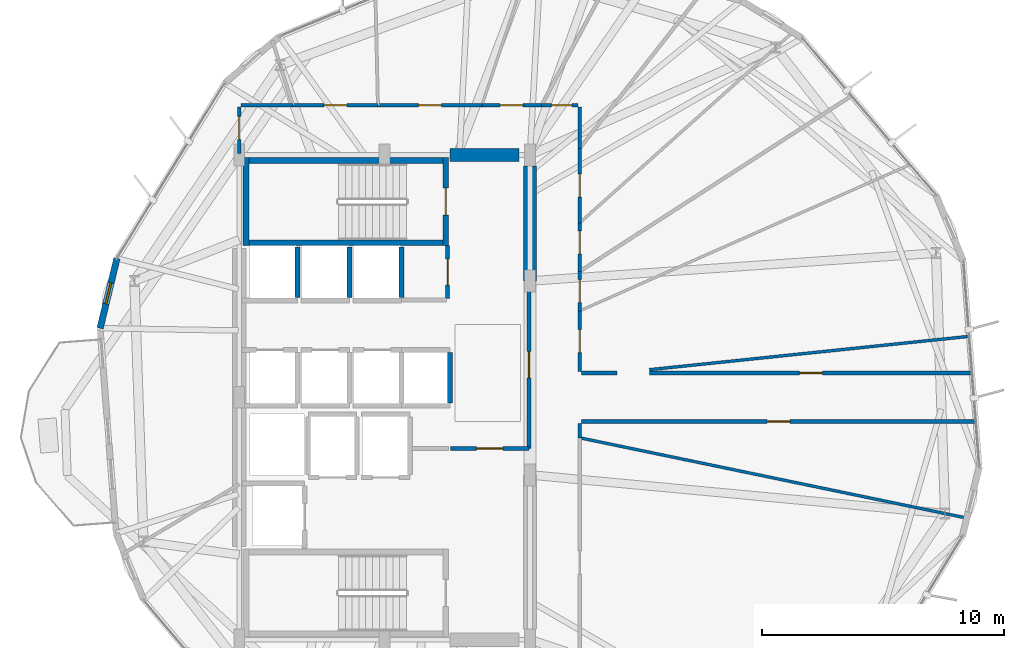
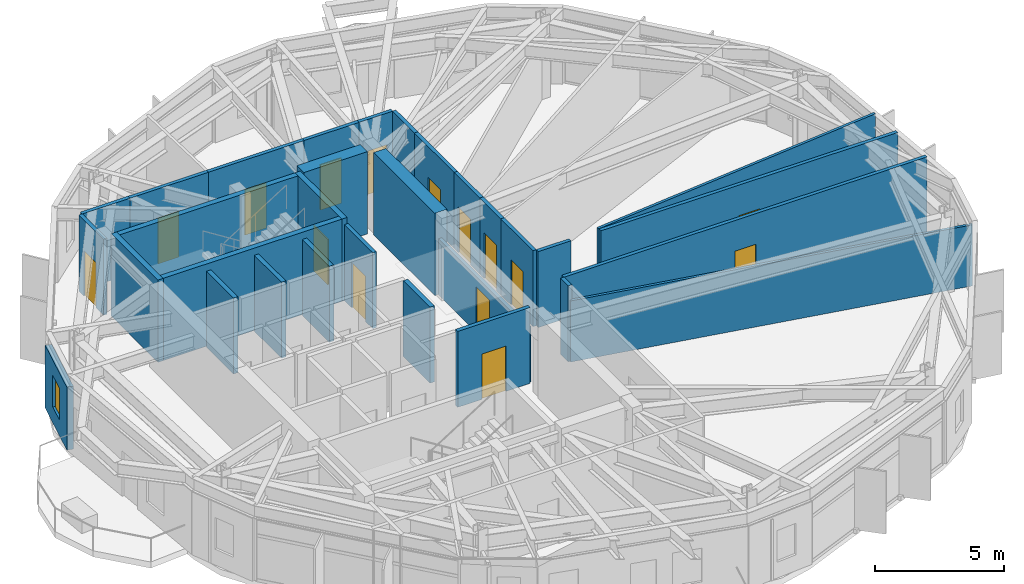
# One storey, part 17 of 21: 31 walls, 15 doors, 1 window, 16 openings.
"""IFC4 building model written with IfcOpenShell, lengths in metres."""

import ifcopenshell
import ifcopenshell.guid

model = None  # the IFC model being written
_history = None  # IfcOwnerHistory: only IFC2X3 demands one
_inside = {}  # id of a spatial element -> (the spatial element, [elements in it])
_under = {}  # id of a project, library or spatial element -> (it, [spatial elements below it])
_declared = {}  # id of a project -> (the project, [libraries it declares])
_typed = {}  # id of a type object -> (the type object, [elements of that type])
_made_of = {}  # id of a material, layer set ... -> (it, [elements and type objects made of it])


def new_model(schema):
    """Start an empty IFC model of exactly this schema.

    Asked for "IFC4X3", IfcOpenShell would pick the latest addendum, in which some entities
    have other attributes; the version numbers below select the first issue.
    IFC2X3 requires an IfcOwnerHistory on every rooted entity: one is made here for all.
    """
    global model, _history
    if schema == "IFC4X3":
        model = ifcopenshell.file(schema_version=(4, 3, 0, 0))
    else:
        model = ifcopenshell.file(schema=schema)
    _inside.clear()
    _under.clear()
    _declared.clear()
    _typed.clear()
    _made_of.clear()
    _history = None
    if model.schema == "IFC2X3":
        org = make("IfcOrganization", Name="unknown")
        user = make(
            "IfcPersonAndOrganization",
            ThePerson=make("IfcPerson", FamilyName="unknown"),
            TheOrganization=org,
        )
        app = make(
            "IfcApplication",
            ApplicationDeveloper=org,
            Version="unknown",
            ApplicationFullName="unknown",
            ApplicationIdentifier="unknown",
        )
        _history = make(
            "IfcOwnerHistory",
            OwningUser=user,
            OwningApplication=app,
            ChangeAction="ADDED",
            CreationDate=0,
        )
    return model


def make(cls, **values):
    """One entity of the class cls with the attributes given. An attribute that is None is left unset."""
    return model.create_entity(
        cls, **{name: value for name, value in values.items() if value is not None}
    )


def rooted(cls, **values):
    """An entity with a GlobalId (a new one), such as an element, a storey or a relation."""
    return make(cls, GlobalId=ifcopenshell.guid.new(), OwnerHistory=_history, **values)


def si_unit(unit_type, name, prefix=None):
    """IfcSIUnit, for example si_unit("LENGTHUNIT", "METRE", prefix="MILLI")."""
    return make("IfcSIUnit", UnitType=unit_type, Prefix=prefix, Name=name)


def assignment(units):
    """IfcUnitAssignment: the units of a project."""
    return None if units is None else make("IfcUnitAssignment", Units=units)


def point(xyz):
    """IfcCartesianPoint."""
    return None if xyz is None else make("IfcCartesianPoint", Coordinates=xyz)


def direction(xyz):
    """IfcDirection."""
    return None if xyz is None else make("IfcDirection", DirectionRatios=xyz)


def frame(location, z_axis=None, x_axis=None):
    """IfcAxis2Placement3D, a coordinate frame: its origin and axes. An axis left out is left unset."""
    return make(
        "IfcAxis2Placement3D",
        Location=point(location),
        Axis=direction(z_axis),
        RefDirection=direction(x_axis),
    )


def frame_2d(location, x_axis=None):
    """IfcAxis2Placement2D, a coordinate frame in the plane: its origin and x axis."""
    return make(
        "IfcAxis2Placement2D", Location=point(location), RefDirection=direction(x_axis)
    )


def origin():
    """The frame at (0, 0, 0) with its axes left unset."""
    return frame((0.0, 0.0, 0.0))


def place(relative_to, where):
    """IfcLocalPlacement: puts the frame where relative to a parent placement (None: the world)."""
    return make(
        "IfcLocalPlacement", PlacementRelTo=relative_to, RelativePlacement=where
    )


def context(
    kind, dimensions, precision=None, world=None, true_north=None, identifier=None
):
    """IfcGeometricRepresentationContext, for example the 3D "Model" context."""
    return make(
        "IfcGeometricRepresentationContext",
        ContextIdentifier=identifier,
        ContextType=kind,
        CoordinateSpaceDimension=dimensions,
        Precision=precision,
        WorldCoordinateSystem=world,
        TrueNorth=true_north,
    )


def subcontext(parent, identifier, kind, view, scale=None):
    """IfcGeometricRepresentationSubContext, for example "Body" below "Model"."""
    return make(
        "IfcGeometricRepresentationSubContext",
        ContextIdentifier=identifier,
        ContextType=kind,
        ParentContext=parent,
        TargetScale=scale,
        TargetView=view,
    )


def project(units=None, contexts=None):
    """IfcProject with its units and contexts."""
    return rooted(
        "IfcProject",
        Name="project",
        RepresentationContexts=contexts,
        UnitsInContext=assignment(units),
    )


def spatial(cls, under=None, at=None, **own):
    """A site, building, storey or space (cls), placed at a placement, below another one or the project."""
    s = rooted(cls, ObjectPlacement=at, **own)
    if under is not None:
        _under.setdefault(under.id(), (under, []))[1].append(s)
    return s


def profile(cls, at=None, kind="AREA", **sizes):
    """A parametric profile (cls). Its sizes go by their IFC names, for example OverallWidth=200.0."""
    return make(cls, ProfileType=kind, Position=at, **sizes)


def rectangle(**sizes):
    """IfcRectangleProfileDef."""
    return profile("IfcRectangleProfileDef", **sizes)


def extrude(swept, where, along, depth):
    """IfcExtrudedAreaSolid: the profile swept, set in the frame where, extruded along a direction by depth."""
    return make(
        "IfcExtrudedAreaSolid",
        SweptArea=swept,
        Position=where,
        ExtrudedDirection=direction(along),
        Depth=depth,
    )


def shape(context_of_items, identifier, shape_type, items):
    """IfcShapeRepresentation: the items that make up one representation, for example the "Body"."""
    return make(
        "IfcShapeRepresentation",
        ContextOfItems=context_of_items,
        RepresentationIdentifier=identifier,
        RepresentationType=shape_type,
        Items=items,
    )


def material(Name=None, Category=None):
    """IfcMaterial."""
    return make("IfcMaterial", Name=Name, Category=Category)


def layer(
    of_material, thickness, ventilated=None, Name=None, Category=None, Priority=None
):
    """IfcMaterialLayer: one layer of a wall or slab, of a material (None: an air gap)."""
    return make(
        "IfcMaterialLayer",
        Material=of_material,
        LayerThickness=thickness,
        IsVentilated=ventilated,
        Name=Name,
        Category=Category,
        Priority=Priority,
    )


def layer_set(layers, Name=None):
    """IfcMaterialLayerSet."""
    return make("IfcMaterialLayerSet", MaterialLayers=layers, LayerSetName=Name)


def made_of(thing, what):
    """Note that an element or type object is made of a material, layer set ...; save() writes the relation."""
    if what is not None:
        _made_of.setdefault(what.id(), (what, []))[1].append(thing)
    return thing


def type_object(cls, material=None, **own):
    """A type object (cls), such as IfcWallType, which elements share."""
    return made_of(rooted(cls, **own), material)


def element(
    cls,
    number,
    at=None,
    inside=None,
    cuts=None,
    type_object=None,
    material=None,
    context=None,
    identifier="Body",
    shape_type=None,
    held_by="IfcProductDefinitionShape",
    body=None,
    shapes=None,
    **own,
):
    """One element of the class cls, such as IfcWall. Its Tag is "e" and its number.

    at: its placement. inside: the storey or other place that contains it. cuts: it is an
    opening in that element (IfcRelVoidsElement). A single representation is given by context,
    identifier, shape_type and body (its items); several are given by shapes. held_by: the class
    of the entity that holds the representations. save() writes the other relations.
    """
    e = rooted(cls, Tag="e%d" % number, ObjectPlacement=at, **own)
    if body is not None:
        shapes = [shape(context, identifier, shape_type, body)]
    if shapes is not None:
        e.Representation = make(held_by, Representations=shapes)
    if inside is not None:
        _inside.setdefault(inside.id(), (inside, []))[1].append(e)
    if cuts is not None:
        rooted(
            "IfcRelVoidsElement", RelatingBuildingElement=cuts, RelatedOpeningElement=e
        )
    if type_object is not None:
        _typed.setdefault(type_object.id(), (type_object, []))[1].append(e)
    return made_of(e, material)


def fill(opening, filler):
    """IfcRelFillsElement: the door or window that sits in an opening."""
    return rooted(
        "IfcRelFillsElement",
        RelatingOpeningElement=opening,
        RelatedBuildingElement=filler,
    )


def aggregate(whole, parts):
    """IfcRelAggregates: a whole, such as a stair, and the parts it consists of."""
    return rooted("IfcRelAggregates", RelatingObject=whole, RelatedObjects=parts)


def save(model, path):
    """Write the relations noted so far, then the file.

    IfcRelAggregates (storeys below a building ...), IfcRelContainedInSpatialStructure (elements
    in a storey), IfcRelDefinesByType, IfcRelAssociatesMaterial and IfcRelDeclares: one each for
    every whole, place, type object, material and project.
    """
    for whole, parts in _under.values():
        aggregate(whole, parts)
    for where, things in _inside.values():
        rooted(
            "IfcRelContainedInSpatialStructure",
            RelatedElements=things,
            RelatingStructure=where,
        )
    for kind, things in _typed.values():
        rooted("IfcRelDefinesByType", RelatedObjects=things, RelatingType=kind)
    for what, things in _made_of.values():
        rooted("IfcRelAssociatesMaterial", RelatedObjects=things, RelatingMaterial=what)
    for by, libraries in _declared.values():
        rooted("IfcRelDeclares", RelatingContext=by, RelatedDefinitions=libraries)
    model.write(path)


model = new_model("IFC4")

# Units and contexts
model_context = context("Model", 3, precision=1e-05, world=origin(), true_north=direction((0.0, 1.0)))
body_context = subcontext(model_context, "Body", "Model", "MODEL_VIEW")
ifc_project = project(units=[si_unit("LENGTHUNIT", "METRE"), si_unit("AREAUNIT", "SQUARE_METRE"), si_unit("VOLUMEUNIT", "CUBIC_METRE"), si_unit("PLANEANGLEUNIT", "RADIAN"), si_unit("MASSUNIT", "GRAM", prefix="KILO")], contexts=[model_context])

# Site, building, storey
site_placement = place(None, origin())
site = spatial("IfcSite", under=ifc_project, at=site_placement, CompositionType="ELEMENT")
building_placement = place(site_placement, origin())
building = spatial("IfcBuilding", under=site, at=building_placement, Name="Soratama Intermodal Tower", CompositionType="ELEMENT")
storey_placement = place(building_placement, frame((0.0, 0.0, 114.699951171875)))
storey = spatial("IfcBuildingStorey", under=building, at=storey_placement, Name="L27", CompositionType="ELEMENT", Elevation=114.699951171875)

# Wall, opening, window
ifc_material_1 = material(Name="Concrete f'c 42 MPa", Category="concrete")
ifc_layer_1 = layer(ifc_material_1, 0.27001953125)
ifc_layer_set_1 = layer_set([ifc_layer_1], Name="Concrete f'c 42 MPa")
wall_type_1 = type_object("IfcWallType", Name="EW-CRN-270", PredefinedType="SOLIDWALL", material=ifc_layer_set_1)
wall_1_placement = place(storey_placement, frame((27.554443359375, 30.7333984375, 0.0), z_axis=(0.0, 0.0, 1.0), x_axis=(-0.234471584184, -0.97212297381, 0.0)))
wall_1 = element("IfcWall", 1, at=wall_1_placement, inside=storey, type_object=wall_type_1, Name="L27 Corner Closure Wall 04", PredefinedType="SOLIDWALL", context=body_context, shape_type="SweptSolid", body=[
    extrude(rectangle(XDim=2.966552734375, YDim=0.27001953125, at=frame_2d((1.4833984375, 0.0))), origin(), (0.0, 0.0, 1.0), 2.97900390625),
])
opening_1_placement = place(wall_1_placement, frame((1.033203125, 0.0, 0.75)))
opening_1 = element("IfcOpeningElement", 2, at=opening_1_placement, cuts=wall_1, Name="Opening WN-6", PredefinedType="OPENING", context=body_context, shape_type="SweptSolid", body=[
    extrude(rectangle(XDim=0.89990234375, YDim=1.5, at=frame_2d((0.449951171875, 0.75))), frame((0.0, 0.14501953125, 0.0), z_axis=(0.0, -1.0, 0.0), x_axis=(1.0, 0.0, 0.0)), (0.0, 0.0, 1.0), 0.2900390625),
])
ifc_material_2 = material(Name="Double-glazed aluminium window", Category="aluminium")
window_type = type_object("IfcWindowType", Name="WN-FAC-900", PartitioningType="SINGLE_PANEL", PredefinedType="WINDOW", material=ifc_material_2)
window_placement = place(opening_1_placement, origin())
window = element("IfcWindow", 3, at=window_placement, inside=storey, type_object=window_type, Name="L27 Corner Window 04", OverallHeight=1.5, OverallWidth=0.89990234375, PartitioningType="SINGLE_PANEL", PredefinedType="WINDOW", context=body_context, shape_type="SweptSolid", body=[
    extrude(rectangle(XDim=0.89990234375, YDim=1.5, at=frame_2d((0.449951171875, 0.75))), frame((0.0, 0.030029296875, 0.0), z_axis=(0.0, -1.0, 0.0), x_axis=(1.0, 0.0, 0.0)), (0.0, 0.0, 1.0), 0.06005859375),
])
fill(opening_1, window)

# Wall, opening, door
ifc_material_3 = material(Name="Fire-rated gypsum stud partition", Category="concrete")
ifc_layer_2 = layer(ifc_material_3, 0.159912109375)
ifc_layer_set_2 = layer_set([ifc_layer_2], Name="Fire-rated gypsum stud partition")
wall_type_2 = type_object("IfcWallType", Name="IW-PART-R160", PredefinedType="PARTITIONING", material=ifc_layer_set_2)
wall_2_placement = place(storey_placement, frame((62.9970703125, 24.0, 0.0), z_axis=(0.0, 0.0, 1.0), x_axis=(-1.0, 0.0, 0.0)))
wall_2 = element("IfcWall", 4, at=wall_2_placement, inside=storey, type_object=wall_type_2, Name="L27 Partition W-L27-TP002", PredefinedType="PARTITIONING", context=body_context, shape_type="SweptSolid", body=[
    extrude(rectangle(XDim=16.277099609375, YDim=0.159912109375, at=frame_2d((8.138671875, 0.0))), origin(), (0.0, 0.0, 1.0), 3.60009765625),
])
opening_2_placement = place(wall_2_placement, frame((7.6640625, 0.0, 0.0)))
opening_2 = element("IfcOpeningElement", 5, at=opening_2_placement, cuts=wall_2, Name="Opening ID-3", PredefinedType="OPENING", context=body_context, shape_type="SweptSolid", body=[
    extrude(rectangle(XDim=0.949951171875, YDim=2.14990234375, at=frame_2d((0.47509765625, 1.074951171875))), frame((0.0, 0.08984375, 0.0), z_axis=(0.0, -1.0, 0.0), x_axis=(1.0, 0.0, 0.0)), (0.0, 0.0, 1.0), 0.179931640625),
])
ifc_material_4 = material(Name="Solid hardwood acoustic door", Category="wood")
door_type_1 = type_object("IfcDoorType", Name="DR-ROOM-950", OperationType="NOTDEFINED", PredefinedType="DOOR", material=ifc_material_4)
door_1_placement = place(opening_2_placement, origin())
door_1 = element("IfcDoor", 6, at=door_1_placement, inside=storey, type_object=door_type_1, Name="L27 Door D-L27-TP001", OperationType="SINGLE_SWING_RIGHT", OverallHeight=2.14990234375, OverallWidth=0.949951171875, PredefinedType="DOOR", context=body_context, shape_type="SweptSolid", body=[
    extrude(rectangle(XDim=0.949951171875, YDim=2.14990234375, at=frame_2d((0.47509765625, 1.074951171875))), frame((0.0, 0.02490234375, 0.0), z_axis=(0.0, -1.0, 0.0), x_axis=(1.0, 0.0, 0.0)), (0.0, 0.0, 1.0), 0.050048828125),
])
fill(opening_2, door_1)

wall_3_placement = place(storey_placement, frame((49.531982421875, 26.0, 0.0), z_axis=(0.0, 0.0, 1.0), x_axis=(1.0, 0.0, 0.0)))
wall_3 = element("IfcWall", 7, at=wall_3_placement, inside=storey, type_object=wall_type_2, Name="L27 Partition W-L27-TP005", PredefinedType="PARTITIONING", context=body_context, shape_type="SweptSolid", body=[
    extrude(rectangle(XDim=13.31005859375, YDim=0.159912109375, at=frame_2d((6.655029296875, 0.0))), origin(), (0.0, 0.0, 1.0), 3.60009765625),
])
opening_3_placement = place(wall_3_placement, frame((6.179931640625, 0.0, 0.0)))
opening_3 = element("IfcOpeningElement", 8, at=opening_3_placement, cuts=wall_3, Name="Opening ID-3", PredefinedType="OPENING", context=body_context, shape_type="SweptSolid", body=[
    extrude(rectangle(XDim=0.949951171875, YDim=2.14990234375, at=frame_2d((0.47509765625, 1.074951171875))), frame((0.0, 0.08984375, 0.0), z_axis=(0.0, -1.0, 0.0), x_axis=(1.0, 0.0, 0.0)), (0.0, 0.0, 1.0), 0.179931640625),
])
door_2_placement = place(opening_3_placement, origin())
door_2 = element("IfcDoor", 9, at=door_2_placement, inside=storey, type_object=door_type_1, Name="L27 Door D-L27-TP002", OperationType="SINGLE_SWING_LEFT", OverallHeight=2.14990234375, OverallWidth=0.949951171875, PredefinedType="DOOR", context=body_context, shape_type="SweptSolid", body=[
    extrude(rectangle(XDim=0.949951171875, YDim=2.14990234375, at=frame_2d((0.47509765625, 1.074951171875))), frame((0.0, 0.02490234375, 0.0), z_axis=(0.0, -1.0, 0.0), x_axis=(1.0, 0.0, 0.0)), (0.0, 0.0, 1.0), 0.050048828125),
])
fill(opening_3, door_2)

wall_4_placement = place(storey_placement, frame((44.56005859375, 29.800048828125, 0.0), z_axis=(0.0, 0.0, 1.0), x_axis=(0.0, -1.0, 0.0)))
wall_4 = element("IfcWall", 10, at=wall_4_placement, inside=storey, type_object=wall_type_2, Name="L27 Partition W-L27-TP011", PredefinedType="PARTITIONING", context=body_context, shape_type="SweptSolid", body=[
    extrude(rectangle(XDim=6.91015625, YDim=0.159912109375, at=frame_2d((3.455078125, 0.0))), origin(), (0.0, 0.0, 1.0), 2.64013671875),
])
opening_4_placement = place(wall_4_placement, frame((2.9150390625, 0.0, 0.0)))
opening_4 = element("IfcOpeningElement", 11, at=opening_4_placement, cuts=wall_4, Name="Opening ID-1", PredefinedType="OPENING", context=body_context, shape_type="SweptSolid", body=[
    extrude(rectangle(XDim=1.080078125, YDim=2.14990234375, at=frame_2d((0.5400390625, 1.074951171875))), frame((0.0, 0.08984375, 0.0), z_axis=(0.0, -1.0, 0.0), x_axis=(1.0, 0.0, 0.0)), (0.0, 0.0, 1.0), 0.179931640625),
])
ifc_material_5 = material(Name="Solid hardwood acoustic door", Category="wood")
door_type_2 = type_object("IfcDoorType", Name="DR-LOB-FD60", OperationType="NOTDEFINED", PredefinedType="DOOR", material=ifc_material_5)
door_3_placement = place(opening_4_placement, origin())
door_3 = element("IfcDoor", 12, at=door_3_placement, inside=storey, type_object=door_type_2, Name="L27 Door D-L27-TP005", OperationType="SINGLE_SWING_RIGHT", OverallHeight=2.14990234375, OverallWidth=1.080078125, PredefinedType="DOOR", context=body_context, shape_type="SweptSolid", body=[
    extrude(rectangle(XDim=1.080078125, YDim=2.14990234375, at=frame_2d((0.5400390625, 1.074951171875))), frame((0.0, 0.02490234375, 0.0), z_axis=(0.0, -1.0, 0.0), x_axis=(1.0, 0.0, 0.0)), (0.0, 0.0, 1.0), 0.050048828125),
])
fill(opening_4, door_3)

wall_5_placement = place(storey_placement, frame((38.323974609375, 37.050048828125, 0.0), z_axis=(0.0, 0.0, 1.0), x_axis=(1.0, 0.0, 0.0)))
wall_5 = element("IfcWall", 13, at=wall_5_placement, inside=storey, type_object=wall_type_2, Name="L27 Partition W-L27-TP017", PredefinedType="PARTITIONING", context=body_context, shape_type="SweptSolid", body=[
    extrude(rectangle(XDim=4.2900390625, YDim=0.159912109375, at=frame_2d((2.14501953125, 0.0))), origin(), (0.0, 0.0, 1.0), 3.60009765625),
])
opening_5_placement = place(wall_5_placement, frame((1.669921875, 0.0, 0.0)))
opening_5 = element("IfcOpeningElement", 14, at=opening_5_placement, cuts=wall_5, Name="Opening ID-3", PredefinedType="OPENING", context=body_context, shape_type="SweptSolid", body=[
    extrude(rectangle(XDim=0.949951171875, YDim=2.14990234375, at=frame_2d((0.47509765625, 1.074951171875))), frame((0.0, 0.08984375, 0.0), z_axis=(0.0, -1.0, 0.0), x_axis=(1.0, 0.0, 0.0)), (0.0, 0.0, 1.0), 0.179931640625),
])
door_4_placement = place(opening_5_placement, origin())
door_4 = element("IfcDoor", 15, at=door_4_placement, inside=storey, type_object=door_type_1, Name="L27 Door D-L27-TP006", OperationType="SINGLE_SWING_LEFT", OverallHeight=2.14990234375, OverallWidth=0.949951171875, PredefinedType="DOOR", context=body_context, shape_type="SweptSolid", body=[
    extrude(rectangle(XDim=0.949951171875, YDim=2.14990234375, at=frame_2d((0.47509765625, 1.074951171875))), frame((0.0, 0.02490234375, 0.0), z_axis=(0.0, -1.0, 0.0), x_axis=(1.0, 0.0, 0.0)), (0.0, 0.0, 1.0), 0.050048828125),
])
fill(opening_5, door_4)

wall_6_placement = place(storey_placement, frame((34.81005859375, 37.050048828125, 0.0), z_axis=(0.0, 0.0, 1.0), x_axis=(1.0, 0.0, 0.0)))
wall_6 = element("IfcWall", 16, at=wall_6_placement, inside=storey, type_object=wall_type_2, Name="L27 Partition W-L27-TP020", PredefinedType="PARTITIONING", context=body_context, shape_type="SweptSolid", body=[
    extrude(rectangle(XDim=3.513916015625, YDim=0.159912109375, at=frame_2d((1.7568359375, 0.0))), origin(), (0.0, 0.0, 1.0), 3.60009765625),
])
opening_6_placement = place(wall_6_placement, frame((1.281982421875, 0.0, 0.0)))
opening_6 = element("IfcOpeningElement", 17, at=opening_6_placement, cuts=wall_6, Name="Opening ID-3", PredefinedType="OPENING", context=body_context, shape_type="SweptSolid", body=[
    extrude(rectangle(XDim=0.949951171875, YDim=2.14990234375, at=frame_2d((0.47509765625, 1.074951171875))), frame((0.0, 0.08984375, 0.0), z_axis=(0.0, -1.0, 0.0), x_axis=(1.0, 0.0, 0.0)), (0.0, 0.0, 1.0), 0.179931640625),
])
door_5_placement = place(opening_6_placement, origin())
door_5 = element("IfcDoor", 18, at=door_5_placement, inside=storey, type_object=door_type_1, Name="L27 Door D-L27-TP008", OperationType="SINGLE_SWING_LEFT", OverallHeight=2.14990234375, OverallWidth=0.949951171875, PredefinedType="DOOR", context=body_context, shape_type="SweptSolid", body=[
    extrude(rectangle(XDim=0.949951171875, YDim=2.14990234375, at=frame_2d((0.47509765625, 1.074951171875))), frame((0.0, 0.02490234375, 0.0), z_axis=(0.0, -1.0, 0.0), x_axis=(1.0, 0.0, 0.0)), (0.0, 0.0, 1.0), 0.050048828125),
])
fill(opening_6, door_5)

wall_7_placement = place(storey_placement, frame((46.64990234375, 35.277099609375, 0.0), z_axis=(0.0, 0.0, 1.0), x_axis=(0.0, -1.0, 0.0)))
wall_7 = element("IfcWall", 19, at=wall_7_placement, inside=storey, type_object=wall_type_2, Name="L27 Partition W-L27-TP023", PredefinedType="PARTITIONING", context=body_context, shape_type="SweptSolid", body=[
    extrude(rectangle(XDim=3.078125, YDim=0.159912109375, at=frame_2d((1.5390625, 0.0))), origin(), (0.0, 0.0, 1.0), 3.60009765625),
])
opening_7_placement = place(wall_7_placement, frame((1.06396484375, 0.0, 0.0)))
opening_7 = element("IfcOpeningElement", 20, at=opening_7_placement, cuts=wall_7, Name="Opening ID-3", PredefinedType="OPENING", context=body_context, shape_type="SweptSolid", body=[
    extrude(rectangle(XDim=0.949951171875, YDim=2.14990234375, at=frame_2d((0.47509765625, 1.074951171875))), frame((0.0, 0.08984375, 0.0), z_axis=(0.0, -1.0, 0.0), x_axis=(1.0, 0.0, 0.0)), (0.0, 0.0, 1.0), 0.179931640625),
])
door_6_placement = place(opening_7_placement, origin())
door_6 = element("IfcDoor", 21, at=door_6_placement, inside=storey, type_object=door_type_1, Name="L27 Door D-L27-TP010", OperationType="SINGLE_SWING_LEFT", OverallHeight=2.14990234375, OverallWidth=0.949951171875, PredefinedType="DOOR", context=body_context, shape_type="SweptSolid", body=[
    extrude(rectangle(XDim=0.949951171875, YDim=2.14990234375, at=frame_2d((0.47509765625, 1.074951171875))), frame((0.0, 0.02490234375, 0.0), z_axis=(0.0, -1.0, 0.0), x_axis=(1.0, 0.0, 0.0)), (0.0, 0.0, 1.0), 0.050048828125),
])
fill(opening_7, door_6)

wall_8_placement = place(storey_placement, frame((46.64990234375, 28.56591796875, 0.0), z_axis=(0.0, 0.0, 1.0), x_axis=(0.0, -1.0, 0.0)))
wall_8 = element("IfcWall", 22, at=wall_8_placement, inside=storey, type_object=wall_type_2, Name="L27 Partition W-L27-TP026", PredefinedType="PARTITIONING", context=body_context, shape_type="SweptSolid", body=[
    extrude(rectangle(XDim=2.495849609375, YDim=0.159912109375, at=frame_2d((1.248046875, 0.0))), origin(), (0.0, 0.0, 1.0), 3.60009765625),
])
opening_8_placement = place(wall_8_placement, frame((0.77294921875, 0.0, 0.0)))
opening_8 = element("IfcOpeningElement", 23, at=opening_8_placement, cuts=wall_8, Name="Opening ID-3", PredefinedType="OPENING", context=body_context, shape_type="SweptSolid", body=[
    extrude(rectangle(XDim=0.949951171875, YDim=2.14990234375, at=frame_2d((0.47509765625, 1.074951171875))), frame((0.0, 0.08984375, 0.0), z_axis=(0.0, -1.0, 0.0), x_axis=(1.0, 0.0, 0.0)), (0.0, 0.0, 1.0), 0.179931640625),
])
door_7_placement = place(opening_8_placement, origin())
door_7 = element("IfcDoor", 24, at=door_7_placement, inside=storey, type_object=door_type_1, Name="L27 Door D-L27-TP011", OperationType="SINGLE_SWING_RIGHT", OverallHeight=2.14990234375, OverallWidth=0.949951171875, PredefinedType="DOOR", context=body_context, shape_type="SweptSolid", body=[
    extrude(rectangle(XDim=0.949951171875, YDim=2.14990234375, at=frame_2d((0.47509765625, 1.074951171875))), frame((0.0, 0.02490234375, 0.0), z_axis=(0.0, -1.0, 0.0), x_axis=(1.0, 0.0, 0.0)), (0.0, 0.0, 1.0), 0.050048828125),
])
fill(opening_8, door_7)

wall_9_placement = place(storey_placement, frame((42.614013671875, 37.050048828125, 0.0), z_axis=(0.0, 0.0, 1.0), x_axis=(1.0, 0.0, 0.0)))
wall_9 = element("IfcWall", 25, at=wall_9_placement, inside=storey, type_object=wall_type_2, Name="L27 Partition W-L27-TP027", PredefinedType="PARTITIONING", context=body_context, shape_type="SweptSolid", body=[
    extrude(rectangle(XDim=2.4599609375, YDim=0.159912109375, at=frame_2d((1.22998046875, 0.0))), origin(), (0.0, 0.0, 1.0), 3.60009765625),
])
opening_9_placement = place(wall_9_placement, frame((0.7548828125, 0.0, 0.0)))
opening_9 = element("IfcOpeningElement", 26, at=opening_9_placement, cuts=wall_9, Name="Opening ID-3", PredefinedType="OPENING", context=body_context, shape_type="SweptSolid", body=[
    extrude(rectangle(XDim=0.949951171875, YDim=2.14990234375, at=frame_2d((0.47509765625, 1.074951171875))), frame((0.0, 0.08984375, 0.0), z_axis=(0.0, -1.0, 0.0), x_axis=(1.0, 0.0, 0.0)), (0.0, 0.0, 1.0), 0.179931640625),
])
door_8_placement = place(opening_9_placement, origin())
door_8 = element("IfcDoor", 27, at=door_8_placement, inside=storey, type_object=door_type_1, Name="L27 Door D-L27-TP012", OperationType="SINGLE_SWING_LEFT", OverallHeight=2.14990234375, OverallWidth=0.949951171875, PredefinedType="DOOR", context=body_context, shape_type="SweptSolid", body=[
    extrude(rectangle(XDim=0.949951171875, YDim=2.14990234375, at=frame_2d((0.47509765625, 1.074951171875))), frame((0.0, 0.02490234375, 0.0), z_axis=(0.0, -1.0, 0.0), x_axis=(1.0, 0.0, 0.0)), (0.0, 0.0, 1.0), 0.050048828125),
])
fill(opening_9, door_8)

wall_10_placement = place(storey_placement, frame((41.199951171875, 29.070068359375, 0.0), z_axis=(0.0, 0.0, 1.0), x_axis=(0.0, 1.0, 0.0)))
wall_10 = element("IfcWall", 28, at=wall_10_placement, inside=storey, type_object=wall_type_2, Name="L27 Partition W-L27-TP028", PredefinedType="PARTITIONING", context=body_context, shape_type="SweptSolid", body=[
    extrude(rectangle(XDim=2.18994140625, YDim=0.159912109375, at=frame_2d((1.094970703125, 0.0))), origin(), (0.0, 0.0, 1.0), 3.60009765625),
])
opening_10_placement = place(wall_10_placement, frame((0.554931640625, 0.0, 0.0)))
opening_10 = element("IfcOpeningElement", 29, at=opening_10_placement, cuts=wall_10, Name="Opening ID-1", PredefinedType="OPENING", context=body_context, shape_type="SweptSolid", body=[
    extrude(rectangle(XDim=1.080078125, YDim=2.14990234375, at=frame_2d((0.5400390625, 1.074951171875))), frame((0.0, 0.08984375, 0.0), z_axis=(0.0, -1.0, 0.0), x_axis=(1.0, 0.0, 0.0)), (0.0, 0.0, 1.0), 0.179931640625),
])
door_9_placement = place(opening_10_placement, origin())
door_9 = element("IfcDoor", 30, at=door_9_placement, inside=storey, type_object=door_type_2, Name="L27 Door D-L27-TP013", OperationType="SINGLE_SWING_RIGHT", OverallHeight=2.14990234375, OverallWidth=1.080078125, PredefinedType="DOOR", context=body_context, shape_type="SweptSolid", body=[
    extrude(rectangle(XDim=1.080078125, YDim=2.14990234375, at=frame_2d((0.5400390625, 1.074951171875))), frame((0.0, 0.02490234375, 0.0), z_axis=(0.0, -1.0, 0.0), x_axis=(1.0, 0.0, 0.0)), (0.0, 0.0, 1.0), 0.050048828125),
])
fill(opening_10, door_9)

# Wall
wall_11_placement = place(storey_placement, frame((32.669921875, 37.050048828125, 0.0), z_axis=(0.0, 0.0, 1.0), x_axis=(1.0, 0.0, 0.0)))
element("IfcWall", 31, at=wall_11_placement, inside=storey, type_object=wall_type_2, Name="L27 Partition W-L27-TP029", PredefinedType="PARTITIONING", context=body_context, shape_type="SweptSolid", body=[
    extrude(rectangle(XDim=2.14013671875, YDim=0.159912109375, at=frame_2d((1.070068359375, 0.0))), origin(), (0.0, 0.0, 1.0), 3.60009765625),
])

# Wall, opening, door
wall_12_placement = place(storey_placement, frame((46.64990234375, 32.198974609375, 0.0), z_axis=(0.0, 0.0, 1.0), x_axis=(0.0, -1.0, 0.0)))
wall_12 = element("IfcWall", 32, at=wall_12_placement, inside=storey, type_object=wall_type_2, Name="L27 Partition W-L27-TP030", PredefinedType="PARTITIONING", context=body_context, shape_type="SweptSolid", body=[
    extrude(rectangle(XDim=2.001953125, YDim=0.159912109375, at=frame_2d((1.0009765625, 0.0))), origin(), (0.0, 0.0, 1.0), 3.60009765625),
])
opening_11_placement = place(wall_12_placement, frame((0.325927734375, 0.0, 0.0)))
opening_11 = element("IfcOpeningElement", 33, at=opening_11_placement, cuts=wall_12, Name="Opening ID-3", PredefinedType="OPENING", context=body_context, shape_type="SweptSolid", body=[
    extrude(rectangle(XDim=0.949951171875, YDim=2.14990234375, at=frame_2d((0.47509765625, 1.074951171875))), frame((0.0, 0.08984375, 0.0), z_axis=(0.0, -1.0, 0.0), x_axis=(1.0, 0.0, 0.0)), (0.0, 0.0, 1.0), 0.179931640625),
])
door_10_placement = place(opening_11_placement, origin())
door_10 = element("IfcDoor", 34, at=door_10_placement, inside=storey, type_object=door_type_1, Name="L27 Door D-L27-TP014", OperationType="SINGLE_SWING_LEFT", OverallHeight=2.14990234375, OverallWidth=0.949951171875, PredefinedType="DOOR", context=body_context, shape_type="SweptSolid", body=[
    extrude(rectangle(XDim=0.949951171875, YDim=2.14990234375, at=frame_2d((0.47509765625, 1.074951171875))), frame((0.0, 0.02490234375, 0.0), z_axis=(0.0, -1.0, 0.0), x_axis=(1.0, 0.0, 0.0)), (0.0, 0.0, 1.0), 0.050048828125),
])
fill(opening_11, door_10)

wall_13_placement = place(storey_placement, frame((32.60009765625, 35.070068359375, 0.0), z_axis=(0.0, 0.0, 1.0), x_axis=(0.0, 1.0, 0.0)))
wall_13 = element("IfcWall", 35, at=wall_13_placement, inside=storey, type_object=wall_type_2, Name="L27 Partition W-L27-TP031", PredefinedType="PARTITIONING", context=body_context, shape_type="SweptSolid", body=[
    extrude(rectangle(XDim=1.909912109375, YDim=0.159912109375, at=frame_2d((0.955078125, 0.0))), origin(), (0.0, 0.0, 1.0), 3.60009765625),
])
opening_12_placement = place(wall_13_placement, frame((0.574951171875, 0.0, 0.0)))
opening_12 = element("IfcOpeningElement", 36, at=opening_12_placement, cuts=wall_13, Name="Opening ID-3", PredefinedType="OPENING", context=body_context, shape_type="SweptSolid", body=[
    extrude(rectangle(XDim=0.949951171875, YDim=2.14990234375, at=frame_2d((0.47509765625, 1.074951171875))), frame((0.0, 0.08984375, 0.0), z_axis=(0.0, -1.0, 0.0), x_axis=(1.0, 0.0, 0.0)), (0.0, 0.0, 1.0), 0.179931640625),
])
door_11_placement = place(opening_12_placement, origin())
door_11 = element("IfcDoor", 37, at=door_11_placement, inside=storey, type_object=door_type_1, Name="L27 Door D-L27-TP015", OperationType="SINGLE_SWING_RIGHT", OverallHeight=2.14990234375, OverallWidth=0.949951171875, PredefinedType="DOOR", context=body_context, shape_type="SweptSolid", body=[
    extrude(rectangle(XDim=0.949951171875, YDim=2.14990234375, at=frame_2d((0.47509765625, 1.074951171875))), frame((0.0, 0.02490234375, 0.0), z_axis=(0.0, -1.0, 0.0), x_axis=(1.0, 0.0, 0.0)), (0.0, 0.0, 1.0), 0.050048828125),
])
fill(opening_12, door_11)

# Wall
wall_14_placement = place(storey_placement, frame((46.64990234375, 36.97998046875, 0.0), z_axis=(0.0, 0.0, 1.0), x_axis=(0.0, -1.0, 0.0)))
element("IfcWall", 38, at=wall_14_placement, inside=storey, type_object=wall_type_2, Name="L27 Partition W-L27-TP033", PredefinedType="PARTITIONING", context=body_context, shape_type="SweptSolid", body=[
    extrude(rectangle(XDim=1.702880859375, YDim=0.159912109375, at=frame_2d((0.8515625, 0.0))), origin(), (0.0, 0.0, 1.0), 3.60009765625),
])

# Wall, opening, door
wall_15_placement = place(storey_placement, frame((46.64990234375, 30.197021484375, 0.0), z_axis=(0.0, 0.0, 1.0), x_axis=(0.0, -1.0, 0.0)))
wall_15 = element("IfcWall", 39, at=wall_15_placement, inside=storey, type_object=wall_type_2, Name="L27 Partition W-L27-TP034", PredefinedType="PARTITIONING", context=body_context, shape_type="SweptSolid", body=[
    extrude(rectangle(XDim=1.631103515625, YDim=0.159912109375, at=frame_2d((0.8154296875, 0.0))), origin(), (0.0, 0.0, 1.0), 3.60009765625),
])
opening_13_placement = place(wall_15_placement, frame((0.341064453125, 0.0, 0.0)))
opening_13 = element("IfcOpeningElement", 40, at=opening_13_placement, cuts=wall_15, Name="Opening ID-3", PredefinedType="OPENING", context=body_context, shape_type="SweptSolid", body=[
    extrude(rectangle(XDim=0.949951171875, YDim=2.14990234375, at=frame_2d((0.47509765625, 1.074951171875))), frame((0.0, 0.08984375, 0.0), z_axis=(0.0, -1.0, 0.0), x_axis=(1.0, 0.0, 0.0)), (0.0, 0.0, 1.0), 0.179931640625),
])
door_12_placement = place(opening_13_placement, origin())
door_12 = element("IfcDoor", 41, at=door_12_placement, inside=storey, type_object=door_type_1, Name="L27 Door D-L27-TP016", OperationType="SINGLE_SWING_LEFT", OverallHeight=2.14990234375, OverallWidth=0.949951171875, PredefinedType="DOOR", context=body_context, shape_type="SweptSolid", body=[
    extrude(rectangle(XDim=0.949951171875, YDim=2.14990234375, at=frame_2d((0.47509765625, 1.074951171875))), frame((0.0, 0.02490234375, 0.0), z_axis=(0.0, -1.0, 0.0), x_axis=(1.0, 0.0, 0.0)), (0.0, 0.0, 1.0), 0.050048828125),
])
fill(opening_13, door_12)

wall_16_placement = place(storey_placement, frame((45.073974609375, 37.050048828125, 0.0), z_axis=(0.0, 0.0, 1.0), x_axis=(1.0, 0.0, 0.0)))
wall_16 = element("IfcWall", 42, at=wall_16_placement, inside=storey, type_object=wall_type_2, Name="L27 Partition W-L27-TP036", PredefinedType="PARTITIONING", context=body_context, shape_type="SweptSolid", body=[
    extrude(rectangle(XDim=1.506103515625, YDim=0.159912109375, at=frame_2d((0.7529296875, 0.0))), origin(), (0.0, 0.0, 1.0), 3.60009765625),
])
opening_14_placement = place(wall_16_placement, frame((0.403076171875, 0.0, 0.0)))
opening_14 = element("IfcOpeningElement", 43, at=opening_14_placement, cuts=wall_16, Name="Opening ID-4", PredefinedType="OPENING", context=body_context, shape_type="SweptSolid", body=[
    extrude(rectangle(XDim=0.85009765625, YDim=2.10009765625, at=frame_2d((0.425048828125, 1.050048828125))), frame((0.0, 0.08984375, 0.0), z_axis=(0.0, -1.0, 0.0), x_axis=(1.0, 0.0, 0.0)), (0.0, 0.0, 1.0), 0.179931640625),
])
ifc_material_6 = material(Name="Solid hardwood acoustic door", Category="wood")
door_type_3 = type_object("IfcDoorType", Name="DR-BATH-850", OperationType="NOTDEFINED", PredefinedType="DOOR", material=ifc_material_6)
door_13_placement = place(opening_14_placement, origin())
door_13 = element("IfcDoor", 44, at=door_13_placement, inside=storey, type_object=door_type_3, Name="L27 Door D-L27-TP017", OperationType="SINGLE_SWING_RIGHT", OverallHeight=2.10009765625, OverallWidth=0.85009765625, PredefinedType="DOOR", context=body_context, shape_type="SweptSolid", body=[
    extrude(rectangle(XDim=0.85009765625, YDim=2.10009765625, at=frame_2d((0.425048828125, 1.050048828125))), frame((0.0, 0.02490234375, 0.0), z_axis=(0.0, -1.0, 0.0), x_axis=(1.0, 0.0, 0.0)), (0.0, 0.0, 1.0), 0.050048828125),
])
fill(opening_14, door_13)

# Walls
wall_17_placement = place(storey_placement, frame((46.64990234375, 23.929931640625, 0.0), z_axis=(0.0, 0.0, 1.0), x_axis=(0.0, -1.0, 0.0)))
element("IfcWall", 45, at=wall_17_placement, inside=storey, type_object=wall_type_2, Name="L27 Partition W-L27-TP037", PredefinedType="PARTITIONING", context=body_context, shape_type="SweptSolid", body=[
    extrude(rectangle(XDim=0.599853515625, YDim=0.159912109375, at=frame_2d((0.2998046875, 0.0))), origin(), (0.0, 0.0, 1.0), 3.60009765625),
])
wall_18_placement = place(storey_placement, frame((46.719970703125, 26.0, 0.0), z_axis=(0.0, 0.0, 1.0), x_axis=(1.0, 0.0, 0.0)))
element("IfcWall", 46, at=wall_18_placement, inside=storey, type_object=wall_type_2, Name="L27 Partition W-L27-TP038", PredefinedType="PARTITIONING", context=body_context, shape_type="SweptSolid", body=[
    extrude(rectangle(XDim=1.463134765625, YDim=0.159912109375, at=frame_2d((0.7314453125, 0.0))), origin(), (0.0, 0.0, 1.0), 3.60009765625),
])

# Wall, opening, door
ifc_material_7 = material(Name="Fire-rated gypsum stud partition", Category="concrete")
ifc_layer_3 = layer(ifc_material_7, 0.169921875)
ifc_layer_set_3 = layer_set([ifc_layer_3], Name="Fire-rated gypsum stud partition")
wall_type_3 = type_object("IfcWallType", Name="IW-PART-R170", PredefinedType="PARTITIONING", material=ifc_layer_set_3)
wall_19_placement = place(storey_placement, frame((41.320068359375, 22.889892578125, 0.0), z_axis=(0.0, 0.0, 1.0), x_axis=(1.0, 0.0, 0.0)))
wall_19 = element("IfcWall", 47, at=wall_19_placement, inside=storey, type_object=wall_type_3, Name="L27 Partition W-L27-TP021", PredefinedType="PARTITIONING", context=body_context, shape_type="SweptSolid", body=[
    extrude(rectangle(XDim=3.239990234375, YDim=0.169921875, at=frame_2d((1.6201171875, 0.0))), origin(), (0.0, 0.0, 1.0), 3.60009765625),
])
opening_15_placement = place(wall_19_placement, frame((1.080078125, 0.0, 0.0)))
opening_15 = element("IfcOpeningElement", 48, at=opening_15_placement, cuts=wall_19, Name="Opening ID-0", PredefinedType="OPENING", context=body_context, shape_type="SweptSolid", body=[
    extrude(rectangle(XDim=1.080078125, YDim=2.14990234375, at=frame_2d((0.5400390625, 1.074951171875))), frame((0.0, 0.094970703125, 0.0), z_axis=(0.0, -1.0, 0.0), x_axis=(1.0, 0.0, 0.0)), (0.0, 0.0, 1.0), 0.18994140625),
])
ifc_material_8 = material(Name="Solid hardwood acoustic door", Category="wood")
door_type_4 = type_object("IfcDoorType", Name="DR-LOB-FD90", OperationType="NOTDEFINED", PredefinedType="DOOR", material=ifc_material_8)
door_14_placement = place(opening_15_placement, origin())
door_14 = element("IfcDoor", 49, at=door_14_placement, inside=storey, type_object=door_type_4, Name="L27 Door D-L27-TP009", OperationType="SINGLE_SWING_RIGHT", OverallHeight=2.14990234375, OverallWidth=1.080078125, PredefinedType="DOOR", context=body_context, shape_type="SweptSolid", body=[
    extrude(rectangle(XDim=1.080078125, YDim=2.14990234375, at=frame_2d((0.5400390625, 1.074951171875))), frame((0.0, 0.02490234375, 0.0), z_axis=(0.0, -1.0, 0.0), x_axis=(1.0, 0.0, 0.0)), (0.0, 0.0, 1.0), 0.050048828125),
])
fill(opening_15, door_14)

# Walls
ifc_material_9 = material(Name="Fire-rated gypsum stud partition", Category="concrete")
ifc_layer_4 = layer(ifc_material_9, 0.1201171875)
ifc_layer_set_4 = layer_set([ifc_layer_4], Name="Fire-rated gypsum stud partition")
wall_type_4 = type_object("IfcWallType", Name="IW-PART-S120", PredefinedType="PARTITIONING", material=ifc_layer_set_4)
wall_20_placement = place(storey_placement, frame((46.64990234375, 23.330078125, 0.0), z_axis=(0.0, 0.0, 1.0), x_axis=(0.979167554887, -0.203053932386, 0.0)))
element("IfcWall", 50, at=wall_20_placement, inside=storey, type_object=wall_type_4, Name="L27 Partition W-L27-TP001", PredefinedType="PARTITIONING", context=body_context, shape_type="SweptSolid", body=[
    extrude(rectangle(XDim=16.439697265625, YDim=0.1201171875, at=frame_2d((8.2197265625, 0.0))), origin(), (0.0, 0.0, 1.0), 2.89501953125),
])
wall_21_placement = place(storey_placement, frame((49.52490234375, 26.139892578125, 0.0), z_axis=(0.0, 0.0, 1.0), x_axis=(0.994608293381, 0.103703147192, 0.0)))
element("IfcWall", 51, at=wall_21_placement, inside=storey, type_object=wall_type_4, Name="L27 Partition W-L27-TP006", PredefinedType="PARTITIONING", context=body_context, shape_type="SweptSolid", body=[
    extrude(rectangle(XDim=13.270751953125, YDim=0.1201171875, at=frame_2d((6.63525390625, 0.0))), origin(), (0.0, 0.0, 1.0), 3.60009765625),
])
ifc_material_10 = material(Name="Concrete f'c 42 MPa", Category="concrete")
ifc_layer_5 = layer(ifc_material_10, 0.199951171875)
ifc_layer_set_5 = layer_set([ifc_layer_5], Name="Concrete f'c 42 MPa")
wall_type_5 = type_object("IfcWallType", Name="IW-SHAFT-200", PredefinedType="SOLIDWALL", material=ifc_layer_set_5)
wall_22_placement = place(storey_placement, frame((41.300048828125, 24.760009765625, 0.0), z_axis=(0.0, 0.0, 1.0), x_axis=(0.0, 1.0, 0.0)))
element("IfcWall", 52, at=wall_22_placement, inside=storey, type_object=wall_type_5, Name="L27 PL-M1 Hoistway Wall E", PredefinedType="SOLIDWALL", context=body_context, shape_type="SweptSolid", body=[
    extrude(rectangle(XDim=2.080078125, YDim=0.199951171875, at=frame_2d((1.0400390625, 0.0))), origin(), (0.0, 0.0, 1.0), 3.60009765625),
])
for number, where, z_axis, x_axis, name in (
    (53, (35.0, 29.110107421875, 0.0), (0.0, 0.0, 1.0), (0.0, 1.0, 0.0), "L27 PL-M2 Hoistway Wall E"),
    (54, (37.14990234375, 29.110107421875, 0.0), (0.0, 0.0, 1.0), (0.0, 1.0, 0.0), "L27 PL-H1 Hoistway Wall E"),
    (55, (39.300048828125, 29.110107421875, 0.0), (0.0, 0.0, 1.0), (0.0, 1.0, 0.0), "L27 PL-H2 Hoistway Wall E"),
):
    element("IfcWall", number, at=place(storey_placement, frame(where, z_axis=z_axis, x_axis=x_axis)), inside=storey, type_object=wall_type_5, Name=name, PredefinedType="SOLIDWALL", context=body_context, shape_type="SweptSolid", body=[
        extrude(rectangle(XDim=2.099853515625, YDim=0.199951171875, at=frame_2d((1.0498046875, 0.0))), origin(), (0.0, 0.0, 1.0), 3.60009765625),
    ])
ifc_material_11 = material(Name="Concrete f'c 56 MPa", Category="concrete")
ifc_layer_6 = layer(ifc_material_11, 0.550048828125)
ifc_layer_set_6 = layer_set([ifc_layer_6], Name="Concrete f'c 56 MPa")
wall_type_6 = type_object("IfcWallType", Name="SW-CORE-550", PredefinedType="SHEAR", material=ifc_layer_set_6)
wall_23_placement = place(storey_placement, frame((41.300048828125, 35.0, 0.0), z_axis=(0.0, 0.0, 1.0), x_axis=(1.0, 0.0, 0.0)))
element("IfcWall", 56, at=wall_23_placement, inside=storey, type_object=wall_type_6, Name="L27 Core Shear Wall CW-NE", PredefinedType="SHEAR", context=body_context, shape_type="SweptSolid", body=[
    extrude(rectangle(XDim=2.849853515625, YDim=0.550048828125, at=frame_2d((1.4248046875, 0.0))), origin(), (0.0, 0.0, 1.0), 3.900146484375),
])
wall_24_placement = place(storey_placement, frame((44.60009765625, 29.800048828125, 0.0), z_axis=(0.0, 0.0, 1.0), x_axis=(0.0, 1.0, 0.0)))
element("IfcWall", 57, at=wall_24_placement, inside=storey, type_object=wall_type_6, Name="L27 Core Shear Wall CW-EN", PredefinedType="SHEAR", context=body_context, shape_type="SweptSolid", body=[
    extrude(rectangle(XDim=4.75, YDim=0.550048828125, at=frame_2d((2.375, 0.0))), origin(), (0.0, 0.0, 1.0), 3.900146484375),
])
ifc_material_12 = material(Name="Concrete f'c 56 MPa", Category="concrete")
ifc_layer_7 = layer(ifc_material_12, 0.239990234375)
ifc_layer_set_7 = layer_set([ifc_layer_7], Name="Concrete f'c 56 MPa")
wall_type_7 = type_object("IfcWallType", Name="SW-STAIR-240", PredefinedType="SHEAR", material=ifc_layer_set_7)
wall_25_placement = place(storey_placement, frame((32.8798828125, 31.260009765625, 0.0), z_axis=(0.0, 0.0, 1.0), x_axis=(0.0, 1.0, 0.0)))
element("IfcWall", 58, at=wall_25_placement, inside=storey, type_object=wall_type_7, Name="L27 ST-2 Shaft Shear Wall W", PredefinedType="SHEAR", context=body_context, shape_type="SweptSolid", body=[
    extrude(rectangle(XDim=3.6298828125, YDim=0.239990234375, at=frame_2d((1.81494140625, 0.0))), origin(), (0.0, 0.0, 1.0), 3.900146484375),
])

# Wall, opening, door
wall_26_placement = place(storey_placement, frame((41.1201171875, 31.260009765625, 0.0), z_axis=(0.0, 0.0, 1.0), x_axis=(0.0, 1.0, 0.0)))
wall_26 = element("IfcWall", 59, at=wall_26_placement, inside=storey, type_object=wall_type_7, Name="L27 ST-2 Shaft Shear Wall E", PredefinedType="SHEAR", context=body_context, shape_type="SweptSolid", body=[
    extrude(rectangle(XDim=3.6298828125, YDim=0.239990234375, at=frame_2d((1.81494140625, 0.0))), origin(), (0.0, 0.0, 1.0), 3.900146484375),
])
opening_16_placement = place(wall_26_placement, frame((1.2548828125, 0.0, 0.0)))
opening_16 = element("IfcOpeningElement", 60, at=opening_16_placement, cuts=wall_26, Name="Opening SD-1", PredefinedType="OPENING", context=body_context, shape_type="SweptSolid", body=[
    extrude(rectangle(XDim=1.1201171875, YDim=2.14990234375, at=frame_2d((0.56005859375, 1.074951171875))), frame((0.0, 0.1298828125, 0.0), z_axis=(0.0, -1.0, 0.0), x_axis=(1.0, 0.0, 0.0)), (0.0, 0.0, 1.0), 0.260009765625),
])
ifc_material_13 = material(Name="Steel fire door", Category="steel")
door_type_5 = type_object("IfcDoorType", Name="DR-STAIR-FD90", OperationType="NOTDEFINED", PredefinedType="DOOR", material=ifc_material_13)
door_15_placement = place(opening_16_placement, origin())
door_15 = element("IfcDoor", 61, at=door_15_placement, inside=storey, type_object=door_type_5, Name="L27 ST-2 Exit Stair Door", OperationType="SINGLE_SWING_RIGHT", OverallHeight=2.14990234375, OverallWidth=1.1201171875, PredefinedType="DOOR", context=body_context, shape_type="SweptSolid", body=[
    extrude(rectangle(XDim=1.1201171875, YDim=2.14990234375, at=frame_2d((0.56005859375, 1.074951171875))), frame((0.0, 0.02490234375, 0.0), z_axis=(0.0, -1.0, 0.0), x_axis=(1.0, 0.0, 0.0)), (0.0, 0.0, 1.0), 0.050048828125),
])
fill(opening_16, door_15)

# Walls
for number, where, z_axis, x_axis, name in (
    (62, (33.0, 31.3798828125, 0.0), (0.0, 0.0, 1.0), (1.0, 0.0, 0.0), "L27 ST-2 Shaft Shear Wall S"),
    (63, (33.0, 34.77001953125, 0.0), (0.0, 0.0, 1.0), (1.0, 0.0, 0.0), "L27 ST-2 Shaft Shear Wall N"),
):
    element("IfcWall", number, at=place(storey_placement, frame(where, z_axis=z_axis, x_axis=x_axis)), inside=storey, type_object=wall_type_7, Name=name, PredefinedType="SHEAR", context=body_context, shape_type="SweptSolid", body=[
        extrude(rectangle(XDim=8.0, YDim=0.239990234375, at=frame_2d((4.0, 0.0))), origin(), (0.0, 0.0, 1.0), 3.900146484375),
    ])

save(model, "model.ifc")
